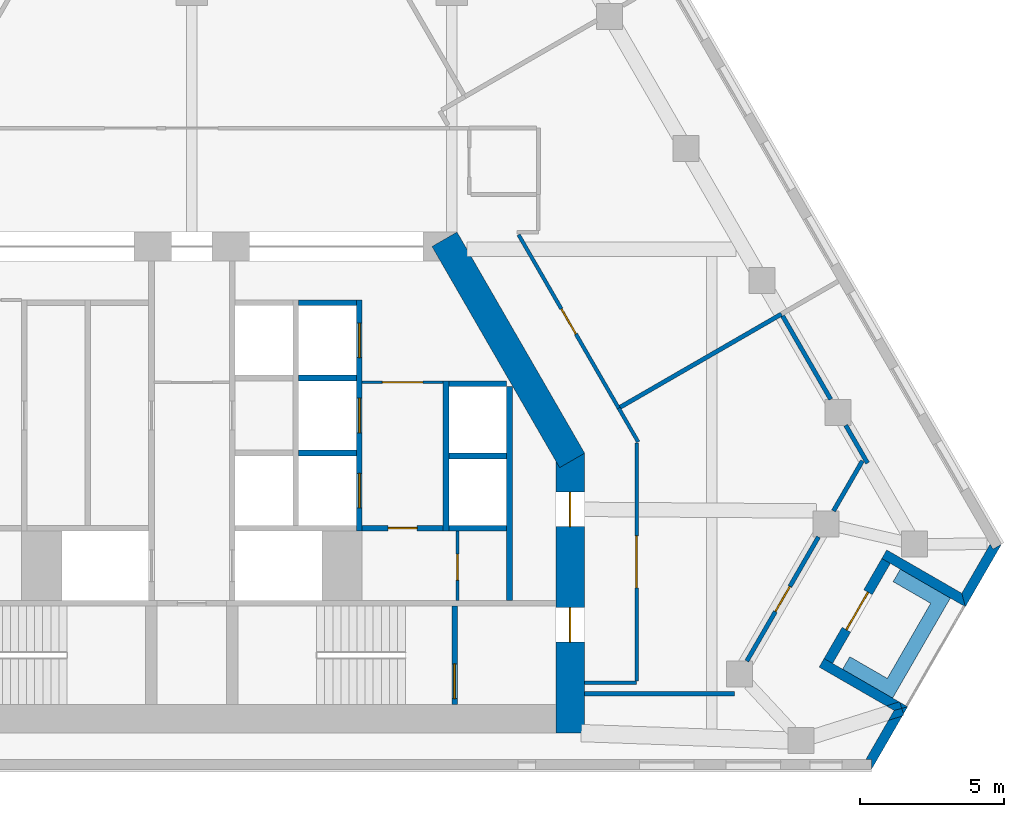
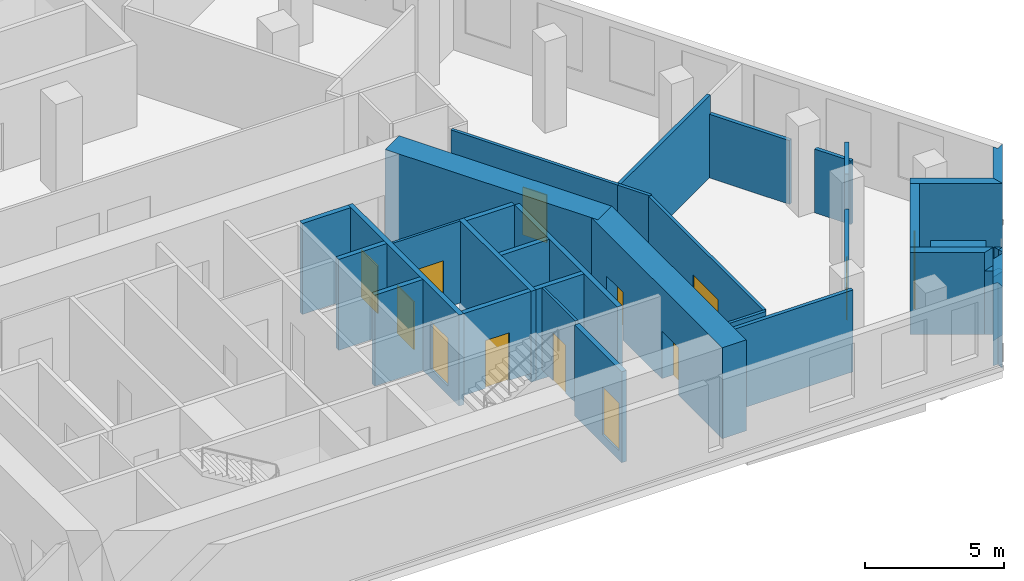
# One storey, part 6 of 9: 35 walls, 13 doors, 13 openings.
"""IFC4 building model written with IfcOpenShell, lengths in metres."""

from ifc_helpers import new_model, si_unit, direction, frame, frame_2d, origin, place, context, subcontext, project, spatial, polyline, rectangle, outline, extrude, material, layer, layer_set, type_object, element, fill, save


model = new_model("IFC4")

# Units and contexts
model_context = context("Model", 3, precision=1e-05, world=origin(), true_north=direction((0.0, 1.0)))
body_context = subcontext(model_context, "Body", "Model", "MODEL_VIEW")
ifc_project = project(units=[si_unit("LENGTHUNIT", "METRE"), si_unit("AREAUNIT", "SQUARE_METRE"), si_unit("VOLUMEUNIT", "CUBIC_METRE"), si_unit("PLANEANGLEUNIT", "RADIAN"), si_unit("MASSUNIT", "GRAM", prefix="KILO")], contexts=[model_context])

# Site, building, storey
site_placement = place(None, origin())
site = spatial("IfcSite", under=ifc_project, at=site_placement, CompositionType="ELEMENT")
building_placement = place(site_placement, origin())
building = spatial("IfcBuilding", under=site, at=building_placement, Name="Fogline Exchange Tower", CompositionType="ELEMENT")
storey_placement = place(building_placement, frame((0.0, 0.0, 182.10009765625)))
storey = spatial("IfcBuildingStorey", under=building, at=storey_placement, Name="L40", CompositionType="ELEMENT", Elevation=182.10009765625)

# Wall, opening, door
ifc_material_1 = material(Name="Blockwork partition", Category="masonry")
ifc_layer_1 = layer(ifc_material_1, 0.10009765625)
ifc_layer_set_1 = layer_set([ifc_layer_1], Name="CW10")
wall_type_1 = type_object("IfcWallType", Name="CW10", PredefinedType="PARTITIONING", material=ifc_layer_set_1)
wall_1_placement = place(storey_placement, frame((5.89990234375, 13.39990234375, 0.0), z_axis=(0.0, 0.0, 1.0), x_axis=(1.0, 0.0, 0.0)))
wall_1 = element("IfcWall", 1, at=wall_1_placement, inside=storey, type_object=wall_type_1, Name="Lift lobby partition", PredefinedType="PARTITIONING", context=body_context, shape_type="SweptSolid", body=[
    extrude(rectangle(XDim=2.800048828125, YDim=0.10009765625, at=frame_2d((1.39990234375, 0.0))), origin(), (0.0, 0.0, 1.0), 3.599853515625),
])
opening_1_placement = place(wall_1_placement, frame((0.699951171875, 0.0, 0.0)))
opening_1 = element("IfcOpeningElement", 2, at=opening_1_placement, cuts=wall_1, Name="Opening T13-C012", PredefinedType="OPENING", context=body_context, shape_type="SweptSolid", body=[
    extrude(rectangle(XDim=1.39990234375, YDim=2.10009765625, at=frame_2d((0.699951171875, 1.050048828125))), frame((0.0, 0.06005859375, 0.0), z_axis=(0.0, -1.0, 0.0), x_axis=(1.0, 0.0, 0.0)), (0.0, 0.0, 1.0), 0.1201171875),
])
ifc_material_2 = material(Name="Steel and timber fire door", Category="steel")
door_type_1 = type_object("IfcDoorType", Name="D-LB1", OperationType="DOUBLE_DOOR_SINGLE_SWING", PredefinedType="DOOR", material=ifc_material_2)
door_1_placement = place(opening_1_placement, frame((1.39990234375, 0.0, 0.0), z_axis=(0.0, 0.0, 1.0), x_axis=(-1.0, 0.0, 0.0)))
door_1 = element("IfcDoor", 3, at=door_1_placement, inside=storey, type_object=door_type_1, Name="Door to lift lobby", OperationType="DOUBLE_DOOR_SINGLE_SWING", OverallHeight=2.10009765625, OverallWidth=1.39990234375, PredefinedType="DOOR", context=body_context, shape_type="SweptSolid", body=[
    extrude(rectangle(XDim=1.39990234375, YDim=2.10009765625, at=frame_2d((0.699951171875, 1.050048828125))), frame((0.0, 0.02490234375, 0.0), z_axis=(0.0, -1.0, 0.0), x_axis=(1.0, 0.0, 0.0)), (0.0, 0.0, 1.0), 0.050048828125),
])
fill(opening_1, door_1)

wall_2_placement = place(storey_placement, frame((9.199951171875, 5.85009765625, 0.0), z_axis=(0.0, 0.0, 1.0), x_axis=(0.0, 1.0, 0.0)))
wall_2 = element("IfcWall", 4, at=wall_2_placement, inside=storey, type_object=wall_type_1, Name="WC partition", PredefinedType="PARTITIONING", context=body_context, shape_type="SweptSolid", body=[
    extrude(rectangle(XDim=2.39990234375, YDim=0.10009765625, at=frame_2d((1.199951171875, 0.0))), origin(), (0.0, 0.0, 1.0), 3.599853515625),
])
opening_2_placement = place(wall_2_placement, frame((0.699951171875, 0.0, 0.0)))
opening_2 = element("IfcOpeningElement", 5, at=opening_2_placement, cuts=wall_2, Name="Opening T13-C014", PredefinedType="OPENING", context=body_context, shape_type="SweptSolid", body=[
    extrude(rectangle(XDim=0.89990234375, YDim=2.10009765625, at=frame_2d((0.449951171875, 1.050048828125))), frame((0.0, 0.06005859375, 0.0), z_axis=(0.0, -1.0, 0.0), x_axis=(1.0, 0.0, 0.0)), (0.0, 0.0, 1.0), 0.1201171875),
])
door_type_2 = type_object("IfcDoorType", Name="D-CS1", OperationType="SINGLE_SWING_RIGHT", PredefinedType="DOOR", material=ifc_material_2)
door_2_placement = place(opening_2_placement, frame((0.89990234375, 0.0, 0.0), z_axis=(0.0, 0.0, 1.0), x_axis=(-1.0, 0.0, 0.0)))
door_2 = element("IfcDoor", 6, at=door_2_placement, inside=storey, type_object=door_type_2, Name="Door to Cleaner's Store", OperationType="SINGLE_SWING_RIGHT", OverallHeight=2.10009765625, OverallWidth=0.89990234375, PredefinedType="DOOR", context=body_context, shape_type="SweptSolid", body=[
    extrude(rectangle(XDim=0.89990234375, YDim=2.10009765625, at=frame_2d((0.449951171875, 1.050048828125))), frame((0.0, 0.02490234375, 0.0), z_axis=(0.0, -1.0, 0.0), x_axis=(1.0, 0.0, 0.0)), (0.0, 0.0, 1.0), 0.050048828125),
])
fill(opening_2, door_2)

# Wall
ifc_material_3 = material(Name="Concrete C40", Category="concrete")
ifc_layer_2 = layer(ifc_material_3, 0.199951171875)
ifc_layer_set_2 = layer_set([ifc_layer_2], Name="CW20")
wall_type_2 = type_object("IfcWallType", Name="CW20", PredefinedType="SOLIDWALL", material=ifc_layer_set_2)
wall_3_placement = place(storey_placement, frame((11.0, 5.85009765625, 0.0), z_axis=(0.0, 0.0, 1.0), x_axis=(0.0, 1.0, 0.0)))
element("IfcWall", 7, at=wall_3_placement, inside=storey, type_object=wall_type_2, Name="Service room wall", PredefinedType="SOLIDWALL", context=body_context, shape_type="SweptSolid", body=[
    extrude(rectangle(XDim=7.39990234375, YDim=0.199951171875, at=frame_2d((3.699951171875, 0.0))), origin(), (0.0, 0.0, 1.0), 3.599853515625),
])

# Wall, opening, door
wall_4_placement = place(storey_placement, frame((5.89990234375, 8.35009765625, 0.0), z_axis=(0.0, 0.0, 1.0), x_axis=(1.0, 0.0, 0.0)))
wall_4 = element("IfcWall", 8, at=wall_4_placement, inside=storey, type_object=wall_type_2, Name="WC wall", PredefinedType="SOLIDWALL", context=body_context, shape_type="SweptSolid", body=[
    extrude(rectangle(XDim=2.800048828125, YDim=0.199951171875, at=frame_2d((1.39990234375, 0.0))), origin(), (0.0, 0.0, 1.0), 3.599853515625),
])
opening_3_placement = place(wall_4_placement, frame((0.89990234375, 0.0, 0.0)))
opening_3 = element("IfcOpeningElement", 9, at=opening_3_placement, cuts=wall_4, Name="Opening T13-C013", PredefinedType="OPENING", context=body_context, shape_type="SweptSolid", body=[
    extrude(rectangle(XDim=1.0, YDim=2.10009765625, at=frame_2d((0.5, 1.050048828125))), frame((0.0, 0.10986328125, 0.0), z_axis=(0.0, -1.0, 0.0), x_axis=(1.0, 0.0, 0.0)), (0.0, 0.0, 1.0), 0.219970703125),
])
door_type_3 = type_object("IfcDoorType", Name="D-WC1", OperationType="SINGLE_SWING_LEFT", PredefinedType="DOOR", material=ifc_material_2)
door_3_placement = place(opening_3_placement, frame((1.0, 0.0, 0.0), z_axis=(0.0, 0.0, 1.0), x_axis=(-1.0, 0.0, 0.0)))
door_3 = element("IfcDoor", 10, at=door_3_placement, inside=storey, type_object=door_type_3, Name="Door to Women's WC", OperationType="SINGLE_SWING_LEFT", OverallHeight=2.10009765625, OverallWidth=1.0, PredefinedType="DOOR", context=body_context, shape_type="SweptSolid", body=[
    extrude(rectangle(XDim=1.0, YDim=2.10009765625, at=frame_2d((0.5, 1.050048828125))), frame((0.0, 0.02490234375, 0.0), z_axis=(0.0, -1.0, 0.0), x_axis=(1.0, 0.0, 0.0)), (0.0, 0.0, 1.0), 0.050048828125),
])
fill(opening_3, door_3)

ifc_layer_3 = layer(ifc_material_3, 0.199951171875)
ifc_layer_set_3 = layer_set([ifc_layer_3], Name="CW20R")
wall_type_3 = type_object("IfcWallType", Name="CW20R", PredefinedType="SOLIDWALL", material=ifc_layer_set_3)
wall_5_placement = place(storey_placement, frame((9.10009765625, 2.25, -0.400146484375), z_axis=(0.0, 0.0, 1.0), x_axis=(0.0, 1.0, 0.0)))
wall_5 = element("IfcWall", 11, at=wall_5_placement, inside=storey, type_object=wall_type_3, Name="Stair enclosure wall", PredefinedType="SOLIDWALL", context=body_context, shape_type="SweptSolid", body=[
    extrude(rectangle(XDim=3.39990234375, YDim=0.199951171875, at=frame_2d((1.699951171875, 0.0))), origin(), (0.0, 0.0, 1.0), 4.0),
])
opening_4_placement = place(wall_5_placement, frame((0.199951171875, 0.0, 0.39990234375)))
opening_4 = element("IfcOpeningElement", 12, at=opening_4_placement, cuts=wall_5, Name="Opening T13-C016", PredefinedType="OPENING", context=body_context, shape_type="SweptSolid", body=[
    extrude(rectangle(XDim=1.199951171875, YDim=2.10009765625, at=frame_2d((0.60009765625, 1.050048828125))), frame((0.0, 0.10986328125, 0.0), z_axis=(0.0, -1.0, 0.0), x_axis=(1.0, 0.0, 0.0)), (0.0, 0.0, 1.0), 0.219970703125),
])
door_type_4 = type_object("IfcDoorType", Name="D-ST1", OperationType="SINGLE_SWING_LEFT", PredefinedType="DOOR", material=ifc_material_2)
door_4_placement = place(opening_4_placement, origin())
door_4 = element("IfcDoor", 13, at=door_4_placement, inside=storey, type_object=door_type_4, Name="Stair door ST2", OperationType="SINGLE_SWING_LEFT", OverallHeight=2.10009765625, OverallWidth=1.199951171875, PredefinedType="DOOR", context=body_context, shape_type="SweptSolid", body=[
    extrude(rectangle(XDim=1.199951171875, YDim=2.10009765625, at=frame_2d((0.60009765625, 1.050048828125))), frame((0.0, 0.02490234375, 0.0), z_axis=(0.0, -1.0, 0.0), x_axis=(1.0, 0.0, 0.0)), (0.0, 0.0, 1.0), 0.050048828125),
])
fill(opening_4, door_4)

# Wall
ifc_layer_4 = layer(ifc_material_3, 0.199951171875)
ifc_layer_set_4 = layer_set([ifc_layer_4], Name="CW20S")
wall_type_4 = type_object("IfcWallType", Name="CW20S", PredefinedType="SOLIDWALL", material=ifc_layer_set_4)
wall_6_placement = place(storey_placement, frame((8.800048828125, 8.25, -0.400146484375), z_axis=(0.0, 0.0, 1.0), x_axis=(0.0, 1.0, 0.0)))
element("IfcWall", 14, at=wall_6_placement, inside=storey, type_object=wall_type_4, Name="Lift shaft wall", PredefinedType="SOLIDWALL", context=body_context, shape_type="SweptSolid", body=[
    extrude(rectangle(XDim=5.199951171875, YDim=0.199951171875, at=frame_2d((2.60009765625, 0.0))), origin(), (0.0, 0.0, 1.0), 4.0),
])

# Wall, openings, doors
wall_7_placement = place(storey_placement, frame((5.800048828125, 8.25, -0.400146484375), z_axis=(0.0, 0.0, 1.0), x_axis=(0.0, 1.0, 0.0)))
wall_7 = element("IfcWall", 15, at=wall_7_placement, inside=storey, type_object=wall_type_4, Name="Lift shaft wall", PredefinedType="SOLIDWALL", context=body_context, shape_type="SweptSolid", body=[
    extrude(rectangle(XDim=8.0, YDim=0.199951171875, at=frame_2d((4.0, 0.0))), origin(), (0.0, 0.0, 1.0), 4.0),
])
opening_5_placement = place(wall_7_placement, frame((0.800048828125, 0.0, 0.39990234375)))
opening_5 = element("IfcOpeningElement", 16, at=opening_5_placement, cuts=wall_7, Name="Opening T13-LD02", PredefinedType="OPENING", context=body_context, shape_type="SweptSolid", body=[
    extrude(rectangle(XDim=1.199951171875, YDim=2.10009765625, at=frame_2d((0.60009765625, 1.050048828125))), frame((0.0, 0.10986328125, 0.0), z_axis=(0.0, -1.0, 0.0), x_axis=(1.0, 0.0, 0.0)), (0.0, 0.0, 1.0), 0.219970703125),
])
opening_6_placement = place(wall_7_placement, frame((3.39990234375, 0.0, 0.39990234375)))
opening_6 = element("IfcOpeningElement", 17, at=opening_6_placement, cuts=wall_7, Name="Opening T13-LD03", PredefinedType="OPENING", context=body_context, shape_type="SweptSolid", body=[
    extrude(rectangle(XDim=1.199951171875, YDim=2.10009765625, at=frame_2d((0.60009765625, 1.050048828125))), frame((0.0, 0.10986328125, 0.0), z_axis=(0.0, -1.0, 0.0), x_axis=(1.0, 0.0, 0.0)), (0.0, 0.0, 1.0), 0.219970703125),
])
opening_7_placement = place(wall_7_placement, frame((6.0, 0.0, 0.39990234375)))
opening_7 = element("IfcOpeningElement", 18, at=opening_7_placement, cuts=wall_7, Name="Opening T13-LD04", PredefinedType="OPENING", context=body_context, shape_type="SweptSolid", body=[
    extrude(rectangle(XDim=1.199951171875, YDim=2.10009765625, at=frame_2d((0.60009765625, 1.050048828125))), frame((0.0, 0.10986328125, 0.0), z_axis=(0.0, -1.0, 0.0), x_axis=(1.0, 0.0, 0.0)), (0.0, 0.0, 1.0), 0.219970703125),
])
door_type_5 = type_object("IfcDoorType", Name="LD1", OperationType="SLIDING_TO_LEFT", PredefinedType="DOOR", material=ifc_material_2)
door_5_placement = place(opening_5_placement, origin())
door_5 = element("IfcDoor", 19, at=door_5_placement, inside=storey, type_object=door_type_5, Name="Landing door MR1", OperationType="SLIDING_TO_LEFT", OverallHeight=2.10009765625, OverallWidth=1.199951171875, PredefinedType="DOOR", context=body_context, shape_type="SweptSolid", body=[
    extrude(rectangle(XDim=1.199951171875, YDim=2.10009765625, at=frame_2d((0.60009765625, 1.050048828125))), frame((0.0, 0.02490234375, 0.0), z_axis=(0.0, -1.0, 0.0), x_axis=(1.0, 0.0, 0.0)), (0.0, 0.0, 1.0), 0.050048828125),
])
fill(opening_5, door_5)
door_6_placement = place(opening_6_placement, origin())
door_6 = element("IfcDoor", 20, at=door_6_placement, inside=storey, type_object=door_type_5, Name="Landing door MR2", OperationType="SLIDING_TO_LEFT", OverallHeight=2.10009765625, OverallWidth=1.199951171875, PredefinedType="DOOR", context=body_context, shape_type="SweptSolid", body=[
    extrude(rectangle(XDim=1.199951171875, YDim=2.10009765625, at=frame_2d((0.60009765625, 1.050048828125))), frame((0.0, 0.02490234375, 0.0), z_axis=(0.0, -1.0, 0.0), x_axis=(1.0, 0.0, 0.0)), (0.0, 0.0, 1.0), 0.050048828125),
])
fill(opening_6, door_6)
door_7_placement = place(opening_7_placement, origin())
door_7 = element("IfcDoor", 21, at=door_7_placement, inside=storey, type_object=door_type_5, Name="Landing door MR3", OperationType="SLIDING_TO_LEFT", OverallHeight=2.10009765625, OverallWidth=1.199951171875, PredefinedType="DOOR", context=body_context, shape_type="SweptSolid", body=[
    extrude(rectangle(XDim=1.199951171875, YDim=2.10009765625, at=frame_2d((0.60009765625, 1.050048828125))), frame((0.0, 0.02490234375, 0.0), z_axis=(0.0, -1.0, 0.0), x_axis=(1.0, 0.0, 0.0)), (0.0, 0.0, 1.0), 0.050048828125),
])
fill(opening_7, door_7)

# Walls
for number, where, z_axis, x_axis, name in (
    (22, (8.89990234375, 8.35009765625, -0.400146484375), (0.0, 0.0, 1.0), (1.0, 0.0, 0.0), "Lift shaft wall"),
    (23, (8.89990234375, 10.85009765625, -0.400146484375), (0.0, 0.0, 1.0), (1.0, 0.0, 0.0), "Lift shaft wall"),
    (24, (8.89990234375, 13.35009765625, -0.400146484375), (0.0, 0.0, 1.0), (1.0, 0.0, 0.0), "Lift shaft wall"),
    (25, (3.699951171875, 10.949951171875, -0.400146484375), (0.0, 0.0, 1.0), (1.0, 0.0, 0.0), "Lift shaft wall"),
    (26, (3.699951171875, 13.550048828125, -0.400146484375), (0.0, 0.0, 1.0), (1.0, 0.0, 0.0), "Lift shaft wall"),
    (27, (3.699951171875, 16.14990234375, -0.400146484375), (0.0, 0.0, 1.0), (1.0, 0.0, 0.0), "Lift shaft wall"),
):
    element("IfcWall", number, at=place(storey_placement, frame(where, z_axis=z_axis, x_axis=x_axis)), inside=storey, type_object=wall_type_4, Name=name, PredefinedType="SOLIDWALL", context=body_context, shape_type="SweptSolid", body=[
        extrude(rectangle(XDim=2.0, YDim=0.199951171875, at=frame_2d((1.0, 0.0))), origin(), (0.0, 0.0, 1.0), 4.0),
    ])
ifc_material_4 = material(Name="Brick masonry", Category="masonry")
ifc_layer_5 = layer(ifc_material_4, 0.340087890625)
ifc_layer_set_5 = layer_set([ifc_layer_5], Name="FW1")
wall_type_5 = type_object("IfcWallType", Name="FW1", PredefinedType="SOLIDWALL", material=ifc_layer_set_5)
wall_8_placement = place(storey_placement, origin())
element("IfcWall", 28, at=wall_8_placement, inside=storey, type_object=wall_type_5, Name="Brick wall L40 SE-c1", PredefinedType="SOLIDWALL", context=body_context, shape_type="SweptSolid", body=[
    extrude(outline(polyline([(24.598388671875, 1.846923828125), (24.1162109375, 1.694580078125), (24.31640625, 2.041015625), (24.577880859375, 2.111083984375), (24.63916015625, 1.917724609375), (24.598388671875, 1.846923828125)])), origin(), (0.0, 0.0, 1.0), 2.7998046875),
])
wall_9_placement = place(storey_placement, origin())
element("IfcWall", 29, at=wall_9_placement, inside=storey, type_object=wall_type_5, Name="Brick wall L40 SE-c1", PredefinedType="SOLIDWALL", context=body_context, shape_type="SweptSolid", body=[
    extrude(outline(polyline([(24.63916015625, 1.917724609375), (24.577880859375, 2.111083984375), (24.7822265625, 2.166015625), (24.782470703125, 2.165771484375), (24.63916015625, 1.917724609375)])), origin(), (0.0, 0.0, 1.0), 3.599853515625),
])
wall_10_placement = place(storey_placement, origin())
element("IfcWall", 30, at=wall_10_placement, inside=storey, type_object=wall_type_5, Name="Brick wall L40 SE-c1", PredefinedType="SOLIDWALL", context=body_context, shape_type="SweptSolid", body=[
    extrude(outline(polyline([(23.53125, -0.001220703125), (23.53076171875, -0.0009765625), (23.53076171875, 0.33935546875), (23.333984375, 0.33935546875), (24.1162109375, 1.694580078125), (24.598388671875, 1.846923828125), (23.53125, -0.001220703125)])), origin(), (0.0, 0.0, 1.0), 3.599853515625),
])
wall_11_placement = place(storey_placement, origin())
element("IfcWall", 31, at=wall_11_placement, inside=storey, type_object=wall_type_5, Name="Brick wall L40 SE-s1", PredefinedType="SOLIDWALL", context=body_context, shape_type="SweptSolid", body=[
    extrude(outline(polyline([(24.511474609375, 2.321533203125), (24.578369140625, 2.110107421875), (24.31689453125, 2.0400390625), (24.045654296875, 2.196533203125), (24.486328125, 2.3359375), (24.511474609375, 2.321533203125)])), origin(), (0.0, 0.0, 1.0), 2.7998046875),
])
wall_12_placement = place(storey_placement, origin())
element("IfcWall", 32, at=wall_12_placement, inside=storey, type_object=wall_type_5, Name="Brick wall L40 SE-s1", PredefinedType="SOLIDWALL", context=body_context, shape_type="SweptSolid", body=[
    extrude(outline(polyline([(21.888671875, 3.8359375), (22.18359375, 3.66552734375), (24.486328125, 2.3359375), (24.045654296875, 2.196533203125), (21.718017578125, 3.540283203125), (21.888671875, 3.8359375)])), origin(), (0.0, 0.0, 1.0), 3.599853515625),
])
wall_13_placement = place(storey_placement, origin())
element("IfcWall", 33, at=wall_13_placement, inside=storey, type_object=wall_type_5, Name="Brick wall L40 SE-s1", PredefinedType="SOLIDWALL", context=body_context, shape_type="SweptSolid", body=[
    extrude(outline(polyline([(24.782470703125, 2.1650390625), (24.782470703125, 2.164794921875), (24.578369140625, 2.110107421875), (24.511474609375, 2.321533203125), (24.782470703125, 2.1650390625)])), origin(), (0.0, 0.0, 1.0), 3.599853515625),
])

# Wall, opening, door
wall_14_placement = place(storey_placement, frame((22.035888671875, 3.75, 0.0), z_axis=(0.0, 0.0, 1.0), x_axis=(0.49999894854, 0.866026010844, 0.0)))
wall_14 = element("IfcWall", 34, at=wall_14_placement, inside=storey, type_object=wall_type_5, Name="Brick wall L40 SE-bk", PredefinedType="SOLIDWALL", context=body_context, shape_type="SweptSolid", body=[
    extrude(rectangle(XDim=4.0, YDim=0.340087890625, at=frame_2d((2.0, 0.0))), origin(), (0.0, 0.0, 1.0), 3.599853515625),
])
opening_8_placement = place(wall_14_placement, frame((1.25, 0.0, 0.0)))
opening_8 = element("IfcOpeningElement", 35, at=opening_8_placement, cuts=wall_14, Name="Opening T13-E081", PredefinedType="OPENING", context=body_context, shape_type="SweptSolid", body=[
    extrude(rectangle(XDim=1.5, YDim=2.39990234375, at=frame_2d((0.75, 1.199951171875))), frame((0.0, 0.18017578125, 0.0), z_axis=(0.0, -1.0, 0.0), x_axis=(1.0, 0.0, 0.0)), (0.0, 0.0, 1.0), 0.360107421875),
])
ifc_material_5 = material(Name="Aluminium and glass", Category="aluminium")
door_type_6 = type_object("IfcDoorType", Name="ED4", OperationType="SINGLE_SWING_LEFT", PredefinedType="DOOR", material=ifc_material_5)
door_8_placement = place(opening_8_placement, frame((1.5, 0.0, 0.0), z_axis=(0.0, 0.0, 1.0), x_axis=(-1.0, 0.0, 0.0)))
door_8 = element("IfcDoor", 36, at=door_8_placement, inside=storey, type_object=door_type_6, Name="Balcony door L40 SE", OperationType="DOUBLE_DOOR_SINGLE_SWING", OverallHeight=2.39990234375, OverallWidth=1.5, PredefinedType="DOOR", context=body_context, shape_type="SweptSolid", body=[
    extrude(rectangle(XDim=1.5, YDim=2.39990234375, at=frame_2d((0.75, 1.199951171875))), frame((0.0, 0.02490234375, 0.0), z_axis=(0.0, -1.0, 0.0), x_axis=(1.0, 0.0, 0.0)), (0.0, 0.0, 1.0), 0.050048828125),
])
fill(opening_8, door_8)

# Walls
wall_15_placement = place(storey_placement, origin())
element("IfcWall", 37, at=wall_15_placement, inside=storey, type_object=wall_type_5, Name="Brick wall L40 SE-s2", PredefinedType="SOLIDWALL", context=body_context, shape_type="SweptSolid", body=[
    extrude(outline(polyline([(26.781982421875, 5.628173828125), (24.182861328125, 7.128662109375), (23.887939453125, 7.298828125), (24.05859375, 7.594482421875), (26.657470703125, 6.093994140625), (26.7822265625, 5.62841796875), (26.781982421875, 5.628173828125)])), origin(), (0.0, 0.0, 1.0), 3.599853515625),
])
wall_16_placement = place(storey_placement, origin())
element("IfcWall", 38, at=wall_16_placement, inside=storey, type_object=wall_type_5, Name="Brick wall L40 SE-c2", PredefinedType="SOLIDWALL", context=body_context, shape_type="SweptSolid", body=[
    extrude(outline(polyline([(27.638671875, 7.79541015625), (27.737060546875, 7.625), (28.031982421875, 7.79541015625), (28.032470703125, 7.794921875), (26.78125, 5.6279296875), (26.781005859375, 5.6279296875), (26.65625, 6.09375), (27.638671875, 7.79541015625)])), origin(), (0.0, 0.0, 1.0), 3.599853515625),
])
ifc_material_6 = material(Name="Concrete C30", Category="concrete")
ifc_layer_6 = layer(ifc_material_6, 0.199951171875)
ifc_layer_set_6 = layer_set([ifc_layer_6], Name="PL1")
wall_type_6 = type_object("IfcWallType", Name="PL1", PredefinedType="USERDEFINED", material=ifc_layer_set_6)
wall_17_placement = place(storey_placement, origin())
element("IfcWall", 39, at=wall_17_placement, inside=storey, type_object=wall_type_6, Name="PLANTER balcony L40 SE", ObjectType="PLANTER", PredefinedType="USERDEFINED", context=body_context, shape_type="SweptSolid", body=[
    extrude(outline(polyline([(22.529541015625, 3.465087890625), (23.82861328125, 2.715087890625), (23.82861328125, 2.715087890625), (24.26171875, 2.465087890625), (26.01171875, 5.49609375), (26.26171875, 5.92919921875), (24.529541015625, 6.92919921875), (24.279541015625, 6.49609375), (25.57861328125, 5.74609375), (24.07861328125, 3.148193359375), (22.779541015625, 3.898193359375), (22.529541015625, 3.465087890625)])), origin(), (0.0, 0.0, 1.0), 1.099853515625),
])

# Wall, opening, door
ifc_material_7 = material(Name="Plasterboard corridor partition with mineral wool, 2 layers each side")
ifc_layer_7 = layer(ifc_material_7, 0.125)
ifc_layer_set_7 = layer_set([ifc_layer_7], Name="PW2")
wall_type_7 = type_object("IfcWallType", Name="PW2", PredefinedType="PARTITIONING", material=ifc_layer_set_7)
wall_18_placement = place(storey_placement, frame((11.3134765625, 18.505859375, 0.0), z_axis=(0.0, 0.0, 1.0), x_axis=(0.49999396906, -0.866028885721, 0.0)))
wall_18 = element("IfcWall", 40, at=wall_18_placement, inside=storey, type_object=wall_type_7, Name="wall-L40-W001", PredefinedType="PARTITIONING", context=body_context, shape_type="SweptSolid", body=[
    extrude(rectangle(XDim=6.92724609375, YDim=0.125, at=frame_2d((3.463623046875, 0.0))), origin(), (0.0, 0.0, 1.0), 3.599853515625),
])
opening_9_placement = place(wall_18_placement, frame((2.963623046875, 0.0, 0.0)))
opening_9 = element("IfcOpeningElement", 41, at=opening_9_placement, cuts=wall_18, Name="Opening T13-D001", PredefinedType="OPENING", context=body_context, shape_type="SweptSolid", body=[
    extrude(rectangle(XDim=1.0, YDim=2.10009765625, at=frame_2d((0.5, 1.050048828125))), frame((0.0, 0.072509765625, 0.0), z_axis=(0.0, -1.0, 0.0), x_axis=(1.0, 0.0, 0.0)), (0.0, 0.0, 1.0), 0.14501953125),
])
ifc_material_8 = material(Name="Fire-rated timber door leaf with steel frame", Category="steel")
door_type_7 = type_object("IfcDoorType", Name="D3", OperationType="SINGLE_SWING_LEFT", PredefinedType="DOOR", material=ifc_material_8)
door_9_placement = place(opening_9_placement, origin())
door_9 = element("IfcDoor", 42, at=door_9_placement, inside=storey, type_object=door_type_7, Name="door-L40-D001", OperationType="SINGLE_SWING_RIGHT", OverallHeight=2.10009765625, OverallWidth=1.0, PredefinedType="DOOR", context=body_context, shape_type="SweptSolid", body=[
    extrude(rectangle(XDim=1.0, YDim=2.10009765625, at=frame_2d((0.5, 1.050048828125))), frame((0.0, 0.02490234375, 0.0), z_axis=(0.0, -1.0, 0.0), x_axis=(1.0, 0.0, 0.0)), (0.0, 0.0, 1.0), 0.050048828125),
])
fill(opening_9, door_9)

# Wall
wall_19_placement = place(storey_placement, frame((14.777099609375, 12.506591796875, 0.0), z_axis=(0.0, 0.0, 1.0), x_axis=(0.500055336774, -0.865993452726, 0.0)))
element("IfcWall", 43, at=wall_19_placement, inside=storey, type_object=wall_type_7, Name="wall-L40-W002", PredefinedType="PARTITIONING", context=body_context, shape_type="SweptSolid", body=[
    extrude(rectangle(XDim=1.354248046875, YDim=0.125, at=frame_2d((0.67724609375, 0.0))), origin(), (0.0, 0.0, 1.0), 3.599853515625),
])

# Wall, opening, door
wall_20_placement = place(storey_placement, frame((15.39990234375, 11.302734375, 0.0), z_axis=(0.0, 0.0, 1.0), x_axis=(0.0, -1.0, 0.0)))
wall_20 = element("IfcWall", 44, at=wall_20_placement, inside=storey, type_object=wall_type_7, Name="wall-L40-W003", PredefinedType="PARTITIONING", context=body_context, shape_type="SweptSolid", body=[
    extrude(rectangle(XDim=8.240234375, YDim=0.125, at=frame_2d((4.1201171875, 0.0))), origin(), (0.0, 0.0, 1.0), 3.599853515625),
])
opening_10_placement = place(wall_20_placement, frame((3.22021484375, 0.0, 0.0)))
opening_10 = element("IfcOpeningElement", 45, at=opening_10_placement, cuts=wall_20, Name="Opening T13-D002", PredefinedType="OPENING", context=body_context, shape_type="SweptSolid", body=[
    extrude(rectangle(XDim=1.800048828125, YDim=2.10009765625, at=frame_2d((0.89990234375, 1.050048828125))), frame((0.0, 0.072509765625, 0.0), z_axis=(0.0, -1.0, 0.0), x_axis=(1.0, 0.0, 0.0)), (0.0, 0.0, 1.0), 0.14501953125),
])
ifc_material_9 = material(Name="Fire-rated timber door leaves with steel frame", Category="steel")
door_type_8 = type_object("IfcDoorType", Name="D4", OperationType="DOUBLE_DOOR_SINGLE_SWING", PredefinedType="DOOR", material=ifc_material_9)
door_10_placement = place(opening_10_placement, frame((1.800048828125, 0.0, 0.0), z_axis=(0.0, 0.0, 1.0), x_axis=(-1.0, 0.0, 0.0)))
door_10 = element("IfcDoor", 46, at=door_10_placement, inside=storey, type_object=door_type_8, Name="door-L40-D002", OperationType="DOUBLE_DOOR_SINGLE_SWING", OverallHeight=2.10009765625, OverallWidth=1.800048828125, PredefinedType="DOOR", context=body_context, shape_type="SweptSolid", body=[
    extrude(rectangle(XDim=1.800048828125, YDim=2.10009765625, at=frame_2d((0.89990234375, 1.050048828125))), frame((0.0, 0.02490234375, 0.0), z_axis=(0.0, -1.0, 0.0), x_axis=(1.0, 0.0, 0.0)), (0.0, 0.0, 1.0), 0.050048828125),
])
fill(opening_10, door_10)

# Walls
wall_21_placement = place(storey_placement, frame((15.39990234375, 3.0, 0.0), z_axis=(0.0, 0.0, 1.0), x_axis=(-1.0, 0.0, 0.0)))
element("IfcWall", 47, at=wall_21_placement, inside=storey, type_object=wall_type_7, Name="wall-L40-W004", PredefinedType="PARTITIONING", context=body_context, shape_type="SweptSolid", body=[
    extrude(rectangle(XDim=1.7998046875, YDim=0.125, at=frame_2d((0.89990234375, 0.0))), origin(), (0.0, 0.0, 1.0), 3.599853515625),
])
ifc_material_10 = material(Name="Plasterboard demising partition with mineral wool and acoustic board")
ifc_layer_8 = layer(ifc_material_10, 0.14990234375)
ifc_layer_set_8 = layer_set([ifc_layer_8], Name="PW3")
wall_type_8 = type_object("IfcWallType", Name="PW3", PredefinedType="PARTITIONING", material=ifc_layer_set_8)
wall_22_placement = place(storey_placement, frame((20.414794921875, 15.761474609375, 0.0), z_axis=(0.0, 0.0, 1.0), x_axis=(-0.866025414547, -0.499999981359, 0.0)))
element("IfcWall", 48, at=wall_22_placement, inside=storey, type_object=wall_type_8, Name="wall-L40-W026", PredefinedType="PARTITIONING", context=body_context, shape_type="SweptSolid", body=[
    extrude(rectangle(XDim=6.447265625, YDim=0.14990234375, at=frame_2d((3.2236328125, 0.0))), origin(), (0.0, 0.0, 1.0), 3.599853515625),
])
wall_23_placement = place(storey_placement, frame((13.60009765625, 2.612548828125, 0.0), z_axis=(0.0, 0.0, 1.0), x_axis=(1.0, 0.0, 0.0)))
element("IfcWall", 49, at=wall_23_placement, inside=storey, type_object=wall_type_8, Name="wall-L40-W042", PredefinedType="PARTITIONING", context=body_context, shape_type="SweptSolid", body=[
    extrude(rectangle(XDim=5.18115234375, YDim=0.14990234375, at=frame_2d((2.590576171875, 0.0))), origin(), (0.0, 0.0, 1.0), 3.599853515625),
])

# Wall, opening, door
wall_24_placement = place(storey_placement, frame((19.215087890625, 3.7490234375, 0.0), z_axis=(0.0, 0.0, 1.0), x_axis=(0.500013557629, 0.866017576142, 0.0)))
wall_24 = element("IfcWall", 50, at=wall_24_placement, inside=storey, type_object=wall_type_8, Name="wall-L40-W043", PredefinedType="PARTITIONING", context=body_context, shape_type="SweptSolid", body=[
    extrude(rectangle(XDim=4.960693359375, YDim=0.14990234375, at=frame_2d((2.48046875, 0.0))), origin(), (0.0, 0.0, 1.0), 2.7998046875),
])
opening_11_placement = place(wall_24_placement, frame((1.98046875, 0.0, 0.0)))
opening_11 = element("IfcOpeningElement", 51, at=opening_11_placement, cuts=wall_24, Name="Opening T13-D013", PredefinedType="OPENING", context=body_context, shape_type="SweptSolid", body=[
    extrude(rectangle(XDim=1.0, YDim=2.10009765625, at=frame_2d((0.5, 1.050048828125))), frame((0.0, 0.0849609375, 0.0), z_axis=(0.0, -1.0, 0.0), x_axis=(1.0, 0.0, 0.0)), (0.0, 0.0, 1.0), 0.169921875),
])
door_11_placement = place(opening_11_placement, frame((1.0, 0.0, 0.0), z_axis=(0.0, 0.0, 1.0), x_axis=(-1.0, 0.0, 0.0)))
door_11 = element("IfcDoor", 52, at=door_11_placement, inside=storey, type_object=door_type_7, Name="door-L40-D013", OperationType="SINGLE_SWING_LEFT", OverallHeight=2.10009765625, OverallWidth=1.0, PredefinedType="DOOR", context=body_context, shape_type="SweptSolid", body=[
    extrude(rectangle(XDim=1.0, YDim=2.10009765625, at=frame_2d((0.5, 1.050048828125))), frame((0.0, 0.02490234375, 0.0), z_axis=(0.0, -1.0, 0.0), x_axis=(1.0, 0.0, 0.0)), (0.0, 0.0, 1.0), 0.050048828125),
])
fill(opening_11, door_11)

# Walls
wall_25_placement = place(storey_placement, frame((22.215087890625, 8.9453125, 0.0), z_axis=(0.0, 0.0, 1.0), x_axis=(0.499950878181, 0.866053762422, 0.0)))
element("IfcWall", 53, at=wall_25_placement, inside=storey, type_object=wall_type_8, Name="wall-L40-W044", PredefinedType="PARTITIONING", context=body_context, shape_type="SweptSolid", body=[
    extrude(rectangle(XDim=2.004638671875, YDim=0.14990234375, at=frame_2d((1.00244140625, 0.0))), origin(), (0.0, 0.0, 1.0), 3.599853515625),
])
wall_26_placement = place(storey_placement, frame((23.393798828125, 10.6015625, 0.0), z_axis=(0.0, 0.0, 1.0), x_axis=(-0.499960093054, 0.866048442845, 0.0)))
element("IfcWall", 54, at=wall_26_placement, inside=storey, type_object=wall_type_8, Name="wall-L40-W045", PredefinedType="PARTITIONING", context=body_context, shape_type="SweptSolid", body=[
    extrude(rectangle(XDim=1.51171875, YDim=0.14990234375, at=frame_2d((0.755859375, 0.0))), origin(), (0.0, 0.0, 1.0), 2.7998046875),
])
wall_27_placement = place(storey_placement, frame((22.118408203125, 12.810791015625, 0.0), z_axis=(0.0, 0.0, 1.0), x_axis=(-0.500039553057, 0.866002566612, 0.0)))
element("IfcWall", 55, at=wall_27_placement, inside=storey, type_object=wall_type_8, Name="wall-L40-W046", PredefinedType="PARTITIONING", context=body_context, shape_type="SweptSolid", body=[
    extrude(rectangle(XDim=3.332275390625, YDim=0.14990234375, at=frame_2d((1.666015625, 0.0))), origin(), (0.0, 0.0, 1.0), 2.7998046875),
])

# Wall, openings, doors
ifc_material_11 = material(Name="Concrete C60", Category="concrete")
ifc_layer_9 = layer(ifc_material_11, 1.0)
ifc_layer_set_9 = layer_set([ifc_layer_9], Name="SW03")
wall_type_9 = type_object("IfcWallType", Name="SW03", PredefinedType="SHEAR", material=ifc_layer_set_9)
wall_28_placement = place(storey_placement, frame((13.10009765625, 1.25, 0.0), z_axis=(0.0, 0.0, 1.0), x_axis=(0.0, 1.0, 0.0)))
wall_28 = element("IfcWall", 56, at=wall_28_placement, inside=storey, type_object=wall_type_9, Name="L40-W902", PredefinedType="SHEAR", context=body_context, shape_type="SweptSolid", body=[
    extrude(rectangle(XDim=9.6953125, YDim=1.0, at=frame_2d((4.84765625, 0.0))), origin(), (0.0, 0.0, 1.0), 4.0),
])
opening_12_placement = place(wall_28_placement, frame((3.14990234375, 0.0, 0.0)))
opening_12 = element("IfcOpeningElement", 57, at=opening_12_placement, cuts=wall_28, Name="Opening T13-C015", PredefinedType="OPENING", context=body_context, shape_type="SweptSolid", body=[
    extrude(rectangle(XDim=1.199951171875, YDim=2.10009765625, at=frame_2d((0.60009765625, 1.050048828125))), frame((0.0, 0.510009765625, 0.0), z_axis=(0.0, -1.0, 0.0), x_axis=(1.0, 0.0, 0.0)), (0.0, 0.0, 1.0), 1.02001953125),
])
opening_13_placement = place(wall_28_placement, frame((7.14990234375, 0.0, 0.0)))
opening_13 = element("IfcOpeningElement", 58, at=opening_13_placement, cuts=wall_28, Name="Opening T13-C017", PredefinedType="OPENING", context=body_context, shape_type="SweptSolid", body=[
    extrude(rectangle(XDim=1.199951171875, YDim=2.10009765625, at=frame_2d((0.60009765625, 1.050048828125))), frame((0.0, 0.510009765625, 0.0), z_axis=(0.0, -1.0, 0.0), x_axis=(1.0, 0.0, 0.0)), (0.0, 0.0, 1.0), 1.02001953125),
])
door_type_9 = type_object("IfcDoorType", Name="D-FR1", OperationType="SINGLE_SWING_RIGHT", PredefinedType="DOOR", material=ifc_material_2)
door_12_placement = place(opening_12_placement, origin())
door_12 = element("IfcDoor", 59, at=door_12_placement, inside=storey, type_object=door_type_9, Name="Front room door ST2", OperationType="SINGLE_SWING_RIGHT", OverallHeight=2.10009765625, OverallWidth=1.199951171875, PredefinedType="DOOR", context=body_context, shape_type="SweptSolid", body=[
    extrude(rectangle(XDim=1.199951171875, YDim=2.10009765625, at=frame_2d((0.60009765625, 1.050048828125))), frame((0.0, 0.02490234375, 0.0), z_axis=(0.0, -1.0, 0.0), x_axis=(1.0, 0.0, 0.0)), (0.0, 0.0, 1.0), 0.050048828125),
])
fill(opening_12, door_12)
door_type_10 = type_object("IfcDoorType", Name="D-SV1", OperationType="SINGLE_SWING_LEFT", PredefinedType="DOOR", material=ifc_material_2)
door_13_placement = place(opening_13_placement, origin())
door_13 = element("IfcDoor", 60, at=door_13_placement, inside=storey, type_object=door_type_10, Name="Service door E", OperationType="SINGLE_SWING_RIGHT", OverallHeight=2.10009765625, OverallWidth=1.199951171875, PredefinedType="DOOR", context=body_context, shape_type="SweptSolid", body=[
    extrude(rectangle(XDim=1.199951171875, YDim=2.10009765625, at=frame_2d((0.60009765625, 1.050048828125))), frame((0.0, 0.02490234375, 0.0), z_axis=(0.0, -1.0, 0.0), x_axis=(1.0, 0.0, 0.0)), (0.0, 0.0, 1.0), 0.050048828125),
])
fill(opening_13, door_13)

# Wall
wall_29_placement = place(storey_placement, frame((13.1669921875, 10.6953125, 0.0), z_axis=(0.0, 0.0, 1.0), x_axis=(-0.499995021168, 0.866028278295, 0.0)))
element("IfcWall", 61, at=wall_29_placement, inside=storey, type_object=wall_type_9, Name="L40-W903", PredefinedType="SHEAR", context=body_context, shape_type="SweptSolid", body=[
    extrude(rectangle(XDim=8.8388671875, YDim=1.0, at=frame_2d((4.41943359375, 0.0))), origin(), (0.0, 0.0, 1.0), 4.0),
])

save(model, "model.ifc")
